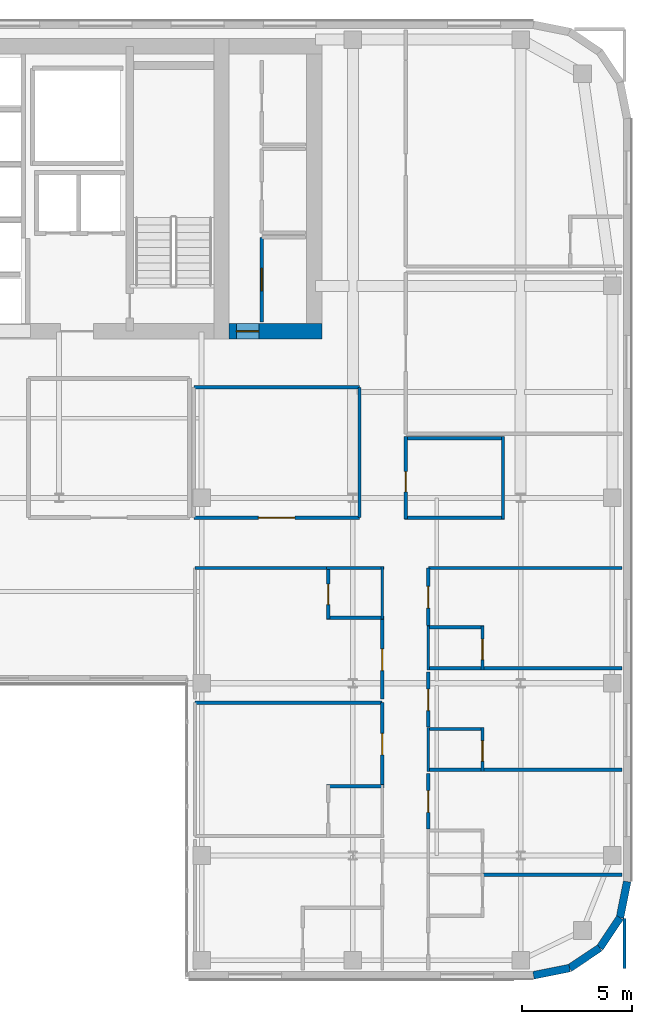
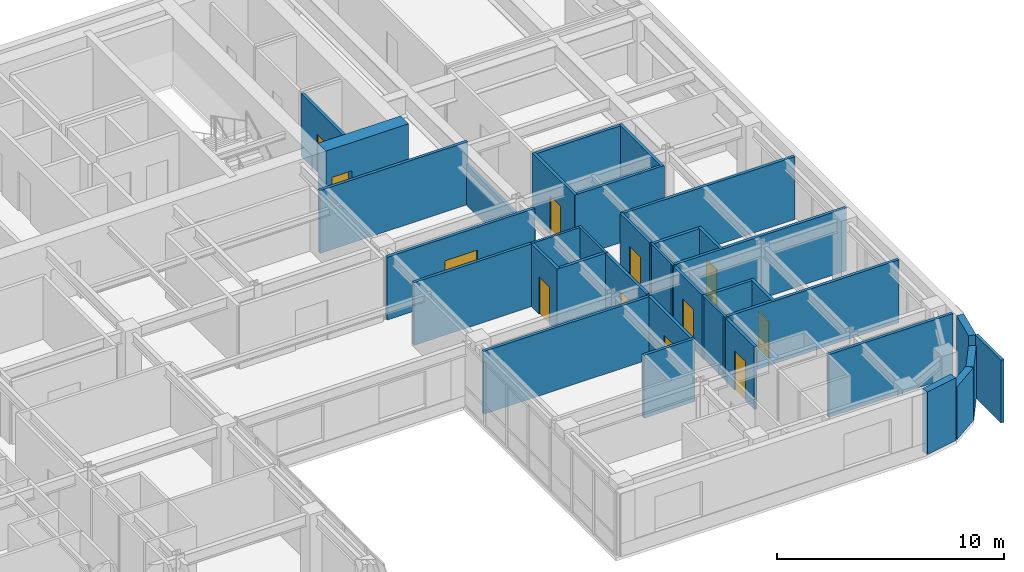
# One storey, part 20 of 28: 36 walls, 12 doors, 12 openings.
"""IFC4 building model written with IfcOpenShell, lengths in metres."""

from ifc_helpers import new_model, si_unit, direction, frame, frame_2d, origin, place, context, subcontext, project, spatial, rectangle, extrude, source, transform, mapped, material, layer, layer_set, type_object, type_shapes, element, fill, save


model = new_model("IFC4")

# Units and contexts
model_context = context("Model", 3, precision=1e-05, world=origin(), true_north=direction((0.0, 1.0)))
body_context = subcontext(model_context, "Body", "Model", "MODEL_VIEW")
ifc_project = project(units=[si_unit("LENGTHUNIT", "METRE"), si_unit("AREAUNIT", "SQUARE_METRE"), si_unit("VOLUMEUNIT", "CUBIC_METRE"), si_unit("PLANEANGLEUNIT", "RADIAN"), si_unit("MASSUNIT", "GRAM", prefix="KILO")], contexts=[model_context])

# Site, building, storey
site_placement = place(None, origin())
site = spatial("IfcSite", under=ifc_project, at=site_placement, CompositionType="ELEMENT")
building_placement = place(site_placement, origin())
building = spatial("IfcBuilding", under=site, at=building_placement, Name="Tolvann Quenvar Hotel", CompositionType="ELEMENT")
storey_placement = place(building_placement, frame((0.0, 0.0, 154.14990234375)))
storey = spatial("IfcBuildingStorey", under=building, at=storey_placement, Name="L40", CompositionType="ELEMENT", Elevation=154.14990234375)

# Wall, opening, door
ifc_material_1 = material(Name="Concrete S65 (65 MPa)", Category="concrete")
ifc_layer_1 = layer(ifc_material_1, 0.699951171875)
ifc_layer_set_1 = layer_set([ifc_layer_1], Name="Concrete S65 (65 MPa)")
wall_type_1 = type_object("IfcWallType", Name="WALL_CORE_700", PredefinedType="SHEAR", material=ifc_layer_set_1)
wall_1_placement = place(storey_placement, frame((36.199951171875, 31.949951171875, 0.0), z_axis=(0.0, 0.0, 1.0), x_axis=(1.0, 0.0, 0.0)))
wall_1 = element("IfcWall", 1, at=wall_1_placement, inside=storey, type_object=wall_type_1, Name="Core East Annex Shear Wall ANN-S (L40)", PredefinedType="SHEAR", context=body_context, shape_type="SweptSolid", body=[
    extrude(rectangle(XDim=4.199951171875, YDim=0.699951171875, at=frame_2d((2.10009765625, 0.0))), origin(), (0.0, 0.0, 1.0), 3.550048828125),
])
opening_1_placement = place(wall_1_placement, frame((1.340087890625, 0.0, 0.0), z_axis=(0.0, 0.0, 1.0), x_axis=(-1.0, 0.0, 0.0)))
opening_1 = element("IfcOpeningElement", 2, at=opening_1_placement, cuts=wall_1, Name="Opening HD-01", PredefinedType="OPENING", context=body_context, shape_type="SweptSolid", body=[
    extrude(rectangle(XDim=1.02001953125, YDim=2.030029296875, at=frame_2d((0.510009765625, 1.01513671875))), frame((0.0, 0.35986328125, 0.0), z_axis=(0.0, -1.0, 0.0), x_axis=(1.0, 0.0, 0.0)), (0.0, 0.0, 1.0), 0.719970703125),
])
ifc_material_2 = material(Name="Pressed galvanised steel fire-rated door set", Category="steel")
door_type_1 = type_object("IfcDoorType", Name="DOOR_BOH_1020", OperationType="NOTDEFINED", PredefinedType="DOOR", material=ifc_material_2)
shared_shape_1 = source(origin(), body_context, "Body", "SweptSolid", [
    extrude(rectangle(XDim=1.02001953125, YDim=2.030029296875, at=frame_2d((0.510009765625, 1.01513671875))), frame((0.0, 0.02490234375, 0.0), z_axis=(0.0, -1.0, 0.0), x_axis=(1.0, 0.0, 0.0)), (0.0, 0.0, 1.0), 0.050048828125),
])
type_shapes(door_type_1, [shared_shape_1])
door_1_placement = place(opening_1_placement, origin())
door_1 = element("IfcDoor", 3, at=door_1_placement, inside=storey, type_object=door_type_1, Name="Housekeeping Annex Fire Door (L40)", OperationType="SINGLE_SWING_RIGHT", OverallHeight=2.030029296875, OverallWidth=1.02001953125, PredefinedType="DOOR", context=body_context, shape_type="MappedRepresentation", body=[
    mapped(shared_shape_1, transform((0.0, 0.0, 0.0), x_axis=(1.0, 0.0, 0.0), y_axis=(0.0, 1.0, 0.0), z_axis=(0.0, 0.0, 1.0), scale=1.0)),
])
fill(opening_1, door_1)

# Walls
ifc_material_3 = material(Name="Kiln-fired red and buff architectural clay brickwork and terracotta masonry", Category="masonry")
ifc_layer_2 = layer(ifc_material_3, 0.35009765625)
ifc_layer_set_2 = layer_set([ifc_layer_2], Name="Kiln-fired red and buff architectural clay brickwork and terracotta masonry")
wall_type_2 = type_object("IfcWallType", Name="WALL_EXT_BRICK_350", PredefinedType="SOLIDWALL", material=ifc_layer_set_2)
wall_2_placement = place(storey_placement, frame((49.98291015625, 2.77490234375, 0.0), z_axis=(0.0, 0.0, 1.0), x_axis=(0.980788844421, 0.195072403631, 0.0)))
element("IfcWall", 4, at=wall_2_placement, inside=storey, type_object=wall_type_2, Name="Exterior Chicago Brick Wall L40-E09", PredefinedType="SOLIDWALL", context=body_context, shape_type="SweptSolid", body=[
    extrude(rectangle(XDim=1.66455078125, YDim=0.35009765625, at=frame_2d((0.832275390625, 0.0))), origin(), (0.0, 0.0, 1.0), 3.3701171875),
])
for number, where, z_axis, x_axis, name in (
    (5, (51.615478515625, 3.099609375, 0.0), (0.0, 0.0, 1.0), (0.831434158098, 0.555623290322, 0.0), "Exterior Chicago Brick Wall L40-E10"),
    (6, (52.985107421875, 4.014892578125, 0.0), (0.0, 0.0, 1.0), (0.555623290322, 0.831434158098, 0.0), "Exterior Chicago Brick Wall L40-E11"),
):
    element("IfcWall", number, at=place(storey_placement, frame(where, z_axis=z_axis, x_axis=x_axis)), inside=storey, type_object=wall_type_2, Name=name, PredefinedType="SOLIDWALL", context=body_context, shape_type="SweptSolid", body=[
        extrude(rectangle(XDim=1.647216796875, YDim=0.35009765625, at=frame_2d((0.82373046875, 0.0))), origin(), (0.0, 0.0, 1.0), 2.83203125),
    ])
wall_3_placement = place(storey_placement, frame((53.900390625, 5.384521484375, 0.0), z_axis=(0.0, 0.0, 1.0), x_axis=(0.195072403631, 0.980788844421, 0.0)))
element("IfcWall", 7, at=wall_3_placement, inside=storey, type_object=wall_type_2, Name="Exterior Chicago Brick Wall L40-E12", PredefinedType="SOLIDWALL", context=body_context, shape_type="SweptSolid", body=[
    extrude(rectangle(XDim=1.66455078125, YDim=0.35009765625, at=frame_2d((0.832275390625, 0.0))), origin(), (0.0, 0.0, 1.0), 3.3701171875),
])
ifc_material_4 = material(Name="Moisture-resistant acoustic plumbing wall assembly")
ifc_layer_3 = layer(ifc_material_4, 0.1201171875)
ifc_layer_set_3 = layer_set([ifc_layer_3], Name="Moisture-resistant acoustic plumbing wall assembly")
wall_type_3 = type_object("IfcWallType", Name="WALL_PART_BATH_120", PredefinedType="PLUMBINGWALL", material=ifc_layer_set_3)
wall_4_placement = place(storey_placement, frame((40.610107421875, 21.219970703125, 0.0), z_axis=(0.0, 0.0, 1.0), x_axis=(1.0, 0.0, 0.0)))
element("IfcWall", 8, at=wall_4_placement, inside=storey, type_object=wall_type_3, Name="Non-Rated Plumbing Partition PT-SPC-L40-ENS-EI03-N", PredefinedType="PLUMBINGWALL", context=body_context, shape_type="SweptSolid", body=[
    extrude(rectangle(XDim=2.58984375, YDim=0.1201171875, at=frame_2d((1.294921875, 0.0))), origin(), (0.0, 0.0, 1.0), 3.3701171875),
])
wall_5_placement = place(storey_placement, frame((43.1298828125, 18.89990234375, 0.0), z_axis=(0.0, 0.0, 1.0), x_axis=(0.0, 1.0, 0.0)))
element("IfcWall", 9, at=wall_5_placement, inside=storey, type_object=wall_type_3, Name="Non-Rated Plumbing Partition PT-SPC-L40-ENS-EI03-E", PredefinedType="PLUMBINGWALL", context=body_context, shape_type="SweptSolid", body=[
    extrude(rectangle(XDim=2.39013671875, YDim=0.1201171875, at=frame_2d((1.195068359375, 0.0))), origin(), (0.0, 0.0, 1.0), 3.3701171875),
])
for number, where, z_axis, x_axis, name in (
    (10, (45.219970703125, 12.010009765625, 0.0), (0.0, 0.0, 1.0), (0.0, 1.0, 0.0), "Non-Rated Plumbing Partition PT-SPC-L40-ENS-EO03-W"),
    (11, (45.219970703125, 16.610107421875, 0.0), (0.0, 0.0, 1.0), (0.0, 1.0, 0.0), "Non-Rated Plumbing Partition PT-SPC-L40-ENS-EO04-W"),
):
    element("IfcWall", number, at=place(storey_placement, frame(where, z_axis=z_axis, x_axis=x_axis)), inside=storey, type_object=wall_type_3, Name=name, PredefinedType="PLUMBINGWALL", context=body_context, shape_type="SweptSolid", body=[
        extrude(rectangle(XDim=1.989990234375, YDim=0.1201171875, at=frame_2d((0.9951171875, 0.0))), origin(), (0.0, 0.0, 1.0), 3.3701171875),
    ])
ifc_material_5 = material(Name="Acoustic twin-stud fire-rated gypsum plasterboard partition")
ifc_layer_4 = layer(ifc_material_5, 0.14990234375)
ifc_layer_set_4 = layer_set([ifc_layer_4], Name="Acoustic twin-stud fire-rated gypsum plasterboard partition")
wall_type_4 = type_object("IfcWallType", Name="WALL_PART_SUITE_150", PredefinedType="PARTITIONING", material=ifc_layer_set_4)
wall_6_placement = place(storey_placement, frame((40.610107421875, 11.330078125, 0.0), z_axis=(0.0, 0.0, 1.0), x_axis=(1.0, 0.0, 0.0)))
element("IfcWall", 12, at=wall_6_placement, inside=storey, type_object=wall_type_4, Name="Interior Partition PT-SPC-L40-ENS-EI02-N", PredefinedType="PARTITIONING", context=body_context, shape_type="SweptSolid", body=[
    extrude(rectangle(XDim=2.58984375, YDim=0.14990234375, at=frame_2d((1.294921875, 0.0))), origin(), (0.0, 0.0, 1.0), 3.3701171875),
])

# Wall, opening, door
wall_7_placement = place(storey_placement, frame((40.679931640625, 18.89990234375, 0.0), z_axis=(0.0, 0.0, 1.0), x_axis=(0.0, 1.0, 0.0)))
wall_7 = element("IfcWall", 13, at=wall_7_placement, inside=storey, type_object=wall_type_4, Name="Interior Partition PT-SPC-L40-ENS-EI03-ENT", PredefinedType="PARTITIONING", context=body_context, shape_type="SweptSolid", body=[
    extrude(rectangle(XDim=2.39013671875, YDim=0.14990234375, at=frame_2d((1.195068359375, 0.0))), origin(), (0.0, 0.0, 1.0), 3.3701171875),
])
opening_2_placement = place(wall_7_placement, frame((0.6650390625, 0.0, 0.0)))
opening_2 = element("IfcOpeningElement", 14, at=opening_2_placement, cuts=wall_7, Name="Opening WD-01", PredefinedType="OPENING", context=body_context, shape_type="SweptSolid", body=[
    extrude(rectangle(XDim=0.919921875, YDim=2.010009765625, at=frame_2d((0.4599609375, 1.0048828125))), frame((0.0, 0.0849609375, 0.0), z_axis=(0.0, -1.0, 0.0), x_axis=(1.0, 0.0, 0.0)), (0.0, 0.0, 1.0), 0.169921875),
])
ifc_material_6 = material(Name="Solid-core American oak acoustic fire door leaf in steel frame", Category="steel")
door_type_2 = type_object("IfcDoorType", Name="DOOR_WC_920", OperationType="NOTDEFINED", PredefinedType="DOOR", material=ifc_material_6)
shared_shape_2 = source(origin(), body_context, "Body", "SweptSolid", [
    extrude(rectangle(XDim=0.919921875, YDim=2.010009765625, at=frame_2d((0.4599609375, 1.0048828125))), frame((0.0, 0.02490234375, 0.0), z_axis=(0.0, -1.0, 0.0), x_axis=(1.0, 0.0, 0.0)), (0.0, 0.0, 1.0), 0.050048828125),
])
type_shapes(door_type_2, [shared_shape_2])
door_2_placement = place(opening_2_placement, origin())
door_2 = element("IfcDoor", 15, at=door_2_placement, inside=storey, type_object=door_type_2, Name="Interior Door DOOR-SPC-L40-ENS-EI03", OperationType="SINGLE_SWING_LEFT", OverallHeight=2.010009765625, OverallWidth=0.919921875, PredefinedType="DOOR", context=body_context, shape_type="MappedRepresentation", body=[
    mapped(shared_shape_2, transform((0.0, 0.0, 0.0), x_axis=(1.0, 0.0, 0.0), y_axis=(0.0, 1.0, 0.0), z_axis=(0.0, 0.0, 1.0), scale=1.0)),
])
fill(opening_2, door_2)

# Wall
wall_8_placement = place(storey_placement, frame((40.610107421875, 18.969970703125, 0.0), z_axis=(0.0, 0.0, 1.0), x_axis=(1.0, 0.0, 0.0)))
element("IfcWall", 16, at=wall_8_placement, inside=storey, type_object=wall_type_4, Name="Interior Partition PT-SPC-L40-ENS-EI03-S", PredefinedType="PARTITIONING", context=body_context, shape_type="SweptSolid", body=[
    extrude(rectangle(XDim=2.58984375, YDim=0.14990234375, at=frame_2d((1.294921875, 0.0))), origin(), (0.0, 0.0, 1.0), 3.3701171875),
])

# Wall, opening, door
wall_9_placement = place(storey_placement, frame((47.669921875, 12.010009765625, 0.0), z_axis=(0.0, 0.0, 1.0), x_axis=(0.0, 1.0, 0.0)))
wall_9 = element("IfcWall", 17, at=wall_9_placement, inside=storey, type_object=wall_type_4, Name="Interior Partition PT-SPC-L40-ENS-EO03-ENT", PredefinedType="PARTITIONING", context=body_context, shape_type="SweptSolid", body=[
    extrude(rectangle(XDim=1.989990234375, YDim=0.14990234375, at=frame_2d((0.9951171875, 0.0))), origin(), (0.0, 0.0, 1.0), 3.3701171875),
])
opening_3_placement = place(wall_9_placement, frame((0.465087890625, 0.0, 0.0)))
opening_3 = element("IfcOpeningElement", 18, at=opening_3_placement, cuts=wall_9, Name="Opening WD-01", PredefinedType="OPENING", context=body_context, shape_type="SweptSolid", body=[
    extrude(rectangle(XDim=0.919921875, YDim=2.010009765625, at=frame_2d((0.4599609375, 1.0048828125))), frame((0.0, 0.0849609375, 0.0), z_axis=(0.0, -1.0, 0.0), x_axis=(1.0, 0.0, 0.0)), (0.0, 0.0, 1.0), 0.169921875),
])
door_3_placement = place(opening_3_placement, origin())
door_3 = element("IfcDoor", 19, at=door_3_placement, inside=storey, type_object=door_type_2, Name="Interior Door DOOR-SPC-L40-ENS-EO03", OperationType="SINGLE_SWING_RIGHT", OverallHeight=2.010009765625, OverallWidth=0.919921875, PredefinedType="DOOR", context=body_context, shape_type="MappedRepresentation", body=[
    mapped(shared_shape_2, transform((0.0, 0.0, 0.0), x_axis=(1.0, 0.0, 0.0), y_axis=(0.0, 1.0, 0.0), z_axis=(0.0, 0.0, 1.0), scale=1.0)),
])
fill(opening_3, door_3)

# Walls
wall_10_placement = place(storey_placement, frame((45.14990234375, 12.080078125, 0.0), z_axis=(0.0, 0.0, 1.0), x_axis=(1.0, 0.0, 0.0)))
element("IfcWall", 20, at=wall_10_placement, inside=storey, type_object=wall_type_4, Name="Interior Partition PT-SPC-L40-ENS-EO03-S", PredefinedType="PARTITIONING", context=body_context, shape_type="SweptSolid", body=[
    extrude(rectangle(XDim=8.84521484375, YDim=0.14990234375, at=frame_2d((4.422607421875, 0.0))), origin(), (0.0, 0.0, 1.0), 3.3701171875),
])
wall_11_placement = place(storey_placement, frame((45.14990234375, 13.929931640625, 0.0), z_axis=(0.0, 0.0, 1.0), x_axis=(1.0, 0.0, 0.0)))
element("IfcWall", 21, at=wall_11_placement, inside=storey, type_object=wall_type_4, Name="Interior Partition PT-SPC-L40-ENS-EO03-N", PredefinedType="PARTITIONING", context=body_context, shape_type="SweptSolid", body=[
    extrude(rectangle(XDim=2.590087890625, YDim=0.14990234375, at=frame_2d((1.294921875, 0.0))), origin(), (0.0, 0.0, 1.0), 3.3701171875),
])

# Wall, opening, door
wall_12_placement = place(storey_placement, frame((47.669921875, 16.610107421875, 0.0), z_axis=(0.0, 0.0, 1.0), x_axis=(0.0, 1.0, 0.0)))
wall_12 = element("IfcWall", 22, at=wall_12_placement, inside=storey, type_object=wall_type_4, Name="Interior Partition PT-SPC-L40-ENS-EO04-ENT", PredefinedType="PARTITIONING", context=body_context, shape_type="SweptSolid", body=[
    extrude(rectangle(XDim=1.989990234375, YDim=0.14990234375, at=frame_2d((0.9951171875, 0.0))), origin(), (0.0, 0.0, 1.0), 3.3701171875),
])
opening_4_placement = place(wall_12_placement, frame((0.465087890625, 0.0, 0.0)))
opening_4 = element("IfcOpeningElement", 23, at=opening_4_placement, cuts=wall_12, Name="Opening WD-01", PredefinedType="OPENING", context=body_context, shape_type="SweptSolid", body=[
    extrude(rectangle(XDim=0.919921875, YDim=2.010009765625, at=frame_2d((0.4599609375, 1.0048828125))), frame((0.0, 0.0849609375, 0.0), z_axis=(0.0, -1.0, 0.0), x_axis=(1.0, 0.0, 0.0)), (0.0, 0.0, 1.0), 0.169921875),
])
door_4_placement = place(opening_4_placement, origin())
door_4 = element("IfcDoor", 24, at=door_4_placement, inside=storey, type_object=door_type_2, Name="Interior Door DOOR-SPC-L40-ENS-EO04", OperationType="SINGLE_SWING_LEFT", OverallHeight=2.010009765625, OverallWidth=0.919921875, PredefinedType="DOOR", context=body_context, shape_type="MappedRepresentation", body=[
    mapped(shared_shape_2, transform((0.0, 0.0, 0.0), x_axis=(1.0, 0.0, 0.0), y_axis=(0.0, 1.0, 0.0), z_axis=(0.0, 0.0, 1.0), scale=1.0)),
])
fill(opening_4, door_4)

# Walls
wall_13_placement = place(storey_placement, frame((45.14990234375, 16.679931640625, 0.0), z_axis=(0.0, 0.0, 1.0), x_axis=(1.0, 0.0, 0.0)))
element("IfcWall", 25, at=wall_13_placement, inside=storey, type_object=wall_type_4, Name="Interior Partition PT-SPC-L40-ENS-EO04-S", PredefinedType="PARTITIONING", context=body_context, shape_type="SweptSolid", body=[
    extrude(rectangle(XDim=8.84521484375, YDim=0.14990234375, at=frame_2d((4.422607421875, 0.0))), origin(), (0.0, 0.0, 1.0), 3.3701171875),
])
wall_14_placement = place(storey_placement, frame((45.14990234375, 18.530029296875, 0.0), z_axis=(0.0, 0.0, 1.0), x_axis=(1.0, 0.0, 0.0)))
element("IfcWall", 26, at=wall_14_placement, inside=storey, type_object=wall_type_4, Name="Interior Partition PT-SPC-L40-ENS-EO04-N", PredefinedType="PARTITIONING", context=body_context, shape_type="SweptSolid", body=[
    extrude(rectangle(XDim=2.590087890625, YDim=0.14990234375, at=frame_2d((1.294921875, 0.0))), origin(), (0.0, 0.0, 1.0), 3.3701171875),
])

# Wall, opening, door
wall_15_placement = place(storey_placement, frame((37.679931640625, 32.35498046875, 0.0), z_axis=(0.0, 0.0, 1.0), x_axis=(0.0, 1.0, 0.0)))
wall_15 = element("IfcWall", 27, at=wall_15_placement, inside=storey, type_object=wall_type_4, Name="Interior Partition PT-SPC-L40-RECPL-1-W", PredefinedType="PARTITIONING", context=body_context, shape_type="SweptSolid", body=[
    extrude(rectangle(XDim=3.844970703125, YDim=0.14990234375, at=frame_2d((1.92236328125, 0.0))), origin(), (0.0, 0.0, 1.0), 3.3701171875),
])
opening_5_placement = place(wall_15_placement, frame((1.41259765625, 0.0, 0.0)))
opening_5 = element("IfcOpeningElement", 28, at=opening_5_placement, cuts=wall_15, Name="Opening HD-01", PredefinedType="OPENING", context=body_context, shape_type="SweptSolid", body=[
    extrude(rectangle(XDim=1.02001953125, YDim=2.030029296875, at=frame_2d((0.510009765625, 1.01513671875))), frame((0.0, 0.0849609375, 0.0), z_axis=(0.0, -1.0, 0.0), x_axis=(1.0, 0.0, 0.0)), (0.0, 0.0, 1.0), 0.169921875),
])
door_5_placement = place(opening_5_placement, origin())
door_5 = element("IfcDoor", 29, at=door_5_placement, inside=storey, type_object=door_type_1, Name="Interior Door DOOR-SPC-L40-RECPL-1", OperationType="SINGLE_SWING_LEFT", OverallHeight=2.030029296875, OverallWidth=1.02001953125, PredefinedType="DOOR", context=body_context, shape_type="MappedRepresentation", body=[
    mapped(shared_shape_1, transform((0.0, 0.0, 0.0), x_axis=(1.0, 0.0, 0.0), y_axis=(0.0, 1.0, 0.0), z_axis=(0.0, 0.0, 1.0), scale=1.0)),
])
fill(opening_5, door_5)

wall_16_placement = place(storey_placement, frame((43.1298828125, 11.409912109375, 0.0), z_axis=(0.0, 0.0, 1.0), x_axis=(0.0, 1.0, 0.0)))
wall_16 = element("IfcWall", 30, at=wall_16_placement, inside=storey, type_object=wall_type_4, Name="Interior Partition PT-SPC-L40-RM-EI02-ENT", PredefinedType="PARTITIONING", context=body_context, shape_type="SweptSolid", body=[
    extrude(rectangle(XDim=3.710205078125, YDim=0.14990234375, at=frame_2d((1.85498046875, 0.0))), origin(), (0.0, 0.0, 1.0), 3.3701171875),
])
opening_6_placement = place(wall_16_placement, frame((1.344970703125, 0.0, 0.0)))
opening_6 = element("IfcOpeningElement", 31, at=opening_6_placement, cuts=wall_16, Name="Opening SD-01", PredefinedType="OPENING", context=body_context, shape_type="SweptSolid", body=[
    extrude(rectangle(XDim=0.97998046875, YDim=2.1201171875, at=frame_2d((0.489990234375, 1.06005859375))), frame((0.0, 0.0849609375, 0.0), z_axis=(0.0, -1.0, 0.0), x_axis=(1.0, 0.0, 0.0)), (0.0, 0.0, 1.0), 0.169921875),
])
door_type_3 = type_object("IfcDoorType", Name="DOOR_SUITE_980", OperationType="NOTDEFINED", PredefinedType="DOOR", material=ifc_material_6)
shared_shape_3 = source(origin(), body_context, "Body", "SweptSolid", [
    extrude(rectangle(XDim=0.97998046875, YDim=2.1201171875, at=frame_2d((0.489990234375, 1.06005859375))), frame((0.0, 0.02490234375, 0.0), z_axis=(0.0, -1.0, 0.0), x_axis=(1.0, 0.0, 0.0)), (0.0, 0.0, 1.0), 0.050048828125),
])
type_shapes(door_type_3, [shared_shape_3])
door_6_placement = place(opening_6_placement, origin())
door_6 = element("IfcDoor", 32, at=door_6_placement, inside=storey, type_object=door_type_3, Name="Interior Door DOOR-SPC-L40-RM-EI02", OperationType="SINGLE_SWING_LEFT", OverallHeight=2.1201171875, OverallWidth=0.97998046875, PredefinedType="DOOR", context=body_context, shape_type="MappedRepresentation", body=[
    mapped(shared_shape_3, transform((0.0, 0.0, 0.0), x_axis=(1.0, 0.0, 0.0), y_axis=(0.0, 1.0, 0.0), z_axis=(0.0, 0.0, 1.0), scale=1.0)),
])
fill(opening_6, door_6)

# Wall
wall_17_placement = place(storey_placement, frame((34.64990234375, 15.1201171875, 0.0), z_axis=(0.0, 0.0, 1.0), x_axis=(1.0, 0.0, 0.0)))
element("IfcWall", 33, at=wall_17_placement, inside=storey, type_object=wall_type_4, Name="Interior Partition PT-SPC-L40-RM-EI02-E5", PredefinedType="PARTITIONING", context=body_context, shape_type="SweptSolid", body=[
    extrude(rectangle(XDim=8.47998046875, YDim=0.14990234375, at=frame_2d((4.239990234375, 0.0))), origin(), (0.0, 0.0, 1.0), 3.3701171875),
])

# Wall, opening, door
wall_18_placement = place(storey_placement, frame((43.1298828125, 15.280029296875, 0.0), z_axis=(0.0, 0.0, 1.0), x_axis=(0.0, 1.0, 0.0)))
wall_18 = element("IfcWall", 34, at=wall_18_placement, inside=storey, type_object=wall_type_4, Name="Interior Partition PT-SPC-L40-RM-EI03-ENT", PredefinedType="PARTITIONING", context=body_context, shape_type="SweptSolid", body=[
    extrude(rectangle(XDim=3.60986328125, YDim=0.14990234375, at=frame_2d((1.804931640625, 0.0))), origin(), (0.0, 0.0, 1.0), 3.3701171875),
])
opening_7_placement = place(wall_18_placement, frame((1.294921875, 0.0, 0.0)))
opening_7 = element("IfcOpeningElement", 35, at=opening_7_placement, cuts=wall_18, Name="Opening SD-01", PredefinedType="OPENING", context=body_context, shape_type="SweptSolid", body=[
    extrude(rectangle(XDim=0.97998046875, YDim=2.1201171875, at=frame_2d((0.489990234375, 1.06005859375))), frame((0.0, 0.0849609375, 0.0), z_axis=(0.0, -1.0, 0.0), x_axis=(1.0, 0.0, 0.0)), (0.0, 0.0, 1.0), 0.169921875),
])
door_7_placement = place(opening_7_placement, origin())
door_7 = element("IfcDoor", 36, at=door_7_placement, inside=storey, type_object=door_type_3, Name="Interior Door DOOR-SPC-L40-RM-EI03", OperationType="SINGLE_SWING_RIGHT", OverallHeight=2.1201171875, OverallWidth=0.97998046875, PredefinedType="DOOR", context=body_context, shape_type="MappedRepresentation", body=[
    mapped(shared_shape_3, transform((0.0, 0.0, 0.0), x_axis=(1.0, 0.0, 0.0), y_axis=(0.0, 1.0, 0.0), z_axis=(0.0, 0.0, 1.0), scale=1.0)),
])
fill(opening_7, door_7)

# Walls
wall_19_placement = place(storey_placement, frame((34.64990234375, 21.219970703125, 0.0), z_axis=(0.0, 0.0, 1.0), x_axis=(1.0, 0.0, 0.0)))
element("IfcWall", 37, at=wall_19_placement, inside=storey, type_object=wall_type_4, Name="Interior Partition PT-SPC-L40-RM-EI03-E5", PredefinedType="PARTITIONING", context=body_context, shape_type="SweptSolid", body=[
    extrude(rectangle(XDim=6.010009765625, YDim=0.14990234375, at=frame_2d((3.0048828125, 0.0))), origin(), (0.0, 0.0, 1.0), 3.3701171875),
])
wall_20_placement = place(storey_placement, frame((54.10009765625, 3.080078125, 0.0), z_axis=(0.0, 0.0, 1.0), x_axis=(0.0, 1.0, 0.0)))
element("IfcWall", 38, at=wall_20_placement, inside=storey, type_object=wall_type_4, Name="Interior Partition PT-SPC-L40-RM-EO01-E2", PredefinedType="PARTITIONING", context=body_context, shape_type="SweptSolid", body=[
    extrude(rectangle(XDim=2.264892578125, YDim=0.14990234375, at=frame_2d((1.13232421875, 0.0))), origin(), (0.0, 0.0, 1.0), 3.3701171875),
])
wall_21_placement = place(storey_placement, frame((47.68994140625, 7.320068359375, 0.0), z_axis=(0.0, 0.0, 1.0), x_axis=(1.0, 0.0, 0.0)))
element("IfcWall", 39, at=wall_21_placement, inside=storey, type_object=wall_type_4, Name="Interior Partition PT-SPC-L40-RM-EO01-E3", PredefinedType="PARTITIONING", context=body_context, shape_type="SweptSolid", body=[
    extrude(rectangle(XDim=6.30517578125, YDim=0.14990234375, at=frame_2d((3.152587890625, 0.0))), origin(), (0.0, 0.0, 1.0), 3.3701171875),
])

# Wall, opening, door
wall_22_placement = place(storey_placement, frame((45.219970703125, 9.409912109375, 0.0), z_axis=(0.0, 0.0, 1.0), x_axis=(0.0, 1.0, 0.0)))
wall_22 = element("IfcWall", 40, at=wall_22_placement, inside=storey, type_object=wall_type_4, Name="Interior Partition PT-SPC-L40-RM-EO02-ENT", PredefinedType="PARTITIONING", context=body_context, shape_type="SweptSolid", body=[
    extrude(rectangle(XDim=2.510009765625, YDim=0.14990234375, at=frame_2d((1.2548828125, 0.0))), origin(), (0.0, 0.0, 1.0), 3.3701171875),
])
opening_8_placement = place(wall_22_placement, frame((0.7451171875, 0.0, 0.0)))
opening_8 = element("IfcOpeningElement", 41, at=opening_8_placement, cuts=wall_22, Name="Opening SD-01", PredefinedType="OPENING", context=body_context, shape_type="SweptSolid", body=[
    extrude(rectangle(XDim=0.97998046875, YDim=2.1201171875, at=frame_2d((0.489990234375, 1.06005859375))), frame((0.0, 0.0849609375, 0.0), z_axis=(0.0, -1.0, 0.0), x_axis=(1.0, 0.0, 0.0)), (0.0, 0.0, 1.0), 0.169921875),
])
door_8_placement = place(opening_8_placement, origin())
door_8 = element("IfcDoor", 42, at=door_8_placement, inside=storey, type_object=door_type_3, Name="Interior Door DOOR-SPC-L40-RM-EO02", OperationType="SINGLE_SWING_RIGHT", OverallHeight=2.1201171875, OverallWidth=0.97998046875, PredefinedType="DOOR", context=body_context, shape_type="MappedRepresentation", body=[
    mapped(shared_shape_3, transform((0.0, 0.0, 0.0), x_axis=(1.0, 0.0, 0.0), y_axis=(0.0, 1.0, 0.0), z_axis=(0.0, 0.0, 1.0), scale=1.0)),
])
fill(opening_8, door_8)

wall_23_placement = place(storey_placement, frame((45.219970703125, 14.010009765625, 0.0), z_axis=(0.0, 0.0, 1.0), x_axis=(0.0, 1.0, 0.0)))
wall_23 = element("IfcWall", 43, at=wall_23_placement, inside=storey, type_object=wall_type_4, Name="Interior Partition PT-SPC-L40-RM-EO03-ENT", PredefinedType="PARTITIONING", context=body_context, shape_type="SweptSolid", body=[
    extrude(rectangle(XDim=2.510009765625, YDim=0.14990234375, at=frame_2d((1.2548828125, 0.0))), origin(), (0.0, 0.0, 1.0), 3.3701171875),
])
opening_9_placement = place(wall_23_placement, frame((0.7451171875, 0.0, 0.0)))
opening_9 = element("IfcOpeningElement", 44, at=opening_9_placement, cuts=wall_23, Name="Opening SD-01", PredefinedType="OPENING", context=body_context, shape_type="SweptSolid", body=[
    extrude(rectangle(XDim=0.97998046875, YDim=2.1201171875, at=frame_2d((0.489990234375, 1.06005859375))), frame((0.0, 0.0849609375, 0.0), z_axis=(0.0, -1.0, 0.0), x_axis=(1.0, 0.0, 0.0)), (0.0, 0.0, 1.0), 0.169921875),
])
door_9_placement = place(opening_9_placement, origin())
door_9 = element("IfcDoor", 45, at=door_9_placement, inside=storey, type_object=door_type_3, Name="Interior Door DOOR-SPC-L40-RM-EO03", OperationType="SINGLE_SWING_LEFT", OverallHeight=2.1201171875, OverallWidth=0.97998046875, PredefinedType="DOOR", context=body_context, shape_type="MappedRepresentation", body=[
    mapped(shared_shape_3, transform((0.0, 0.0, 0.0), x_axis=(1.0, 0.0, 0.0), y_axis=(0.0, 1.0, 0.0), z_axis=(0.0, 0.0, 1.0), scale=1.0)),
])
fill(opening_9, door_9)

wall_24_placement = place(storey_placement, frame((45.219970703125, 18.610107421875, 0.0), z_axis=(0.0, 0.0, 1.0), x_axis=(0.0, 1.0, 0.0)))
wall_24 = element("IfcWall", 46, at=wall_24_placement, inside=storey, type_object=wall_type_4, Name="Interior Partition PT-SPC-L40-RM-EO04-ENT", PredefinedType="PARTITIONING", context=body_context, shape_type="SweptSolid", body=[
    extrude(rectangle(XDim=2.60986328125, YDim=0.14990234375, at=frame_2d((1.304931640625, 0.0))), origin(), (0.0, 0.0, 1.0), 3.3701171875),
])
opening_10_placement = place(wall_24_placement, frame((0.794921875, 0.0, 0.0)))
opening_10 = element("IfcOpeningElement", 47, at=opening_10_placement, cuts=wall_24, Name="Opening SD-01", PredefinedType="OPENING", context=body_context, shape_type="SweptSolid", body=[
    extrude(rectangle(XDim=0.97998046875, YDim=2.1201171875, at=frame_2d((0.489990234375, 1.06005859375))), frame((0.0, 0.0849609375, 0.0), z_axis=(0.0, -1.0, 0.0), x_axis=(1.0, 0.0, 0.0)), (0.0, 0.0, 1.0), 0.169921875),
])
door_10_placement = place(opening_10_placement, origin())
door_10 = element("IfcDoor", 48, at=door_10_placement, inside=storey, type_object=door_type_3, Name="Interior Door DOOR-SPC-L40-RM-EO04", OperationType="SINGLE_SWING_RIGHT", OverallHeight=2.1201171875, OverallWidth=0.97998046875, PredefinedType="DOOR", context=body_context, shape_type="MappedRepresentation", body=[
    mapped(shared_shape_3, transform((0.0, 0.0, 0.0), x_axis=(1.0, 0.0, 0.0), y_axis=(0.0, 1.0, 0.0), z_axis=(0.0, 0.0, 1.0), scale=1.0)),
])
fill(opening_10, door_10)

# Wall
wall_25_placement = place(storey_placement, frame((45.219970703125, 21.219970703125, 0.0), z_axis=(0.0, 0.0, 1.0), x_axis=(1.0, 0.0, 0.0)))
element("IfcWall", 49, at=wall_25_placement, inside=storey, type_object=wall_type_4, Name="Interior Partition PT-SPC-L40-RM-EO04-E5", PredefinedType="PARTITIONING", context=body_context, shape_type="SweptSolid", body=[
    extrude(rectangle(XDim=8.775146484375, YDim=0.14990234375, at=frame_2d((4.3876953125, 0.0))), origin(), (0.0, 0.0, 1.0), 3.3701171875),
])

# Wall, opening, door
wall_26_placement = place(storey_placement, frame((44.199951171875, 23.429931640625, 0.0), z_axis=(0.0, 0.0, 1.0), x_axis=(0.0, 1.0, 0.0)))
wall_26 = element("IfcWall", 50, at=wall_26_placement, inside=storey, type_object=wall_type_4, Name="Interior Partition PT-SPC-L40-WCA-ENT", PredefinedType="PARTITIONING", context=body_context, shape_type="SweptSolid", body=[
    extrude(rectangle(XDim=3.739990234375, YDim=0.14990234375, at=frame_2d((1.8701171875, 0.0))), origin(), (0.0, 0.0, 1.0), 3.3701171875),
])
opening_11_placement = place(wall_26_placement, frame((1.239990234375, 0.0, 0.0)))
opening_11 = element("IfcOpeningElement", 51, at=opening_11_placement, cuts=wall_26, Name="Opening WD-01", PredefinedType="OPENING", context=body_context, shape_type="SweptSolid", body=[
    extrude(rectangle(XDim=0.919921875, YDim=2.010009765625, at=frame_2d((0.4599609375, 1.0048828125))), frame((0.0, 0.0849609375, 0.0), z_axis=(0.0, -1.0, 0.0), x_axis=(1.0, 0.0, 0.0)), (0.0, 0.0, 1.0), 0.169921875),
])
door_11_placement = place(opening_11_placement, origin())
door_11 = element("IfcDoor", 52, at=door_11_placement, inside=storey, type_object=door_type_2, Name="Interior Door DOOR-SPC-L40-WCA", OperationType="SINGLE_SWING_LEFT", OverallHeight=2.010009765625, OverallWidth=0.919921875, PredefinedType="DOOR", context=body_context, shape_type="MappedRepresentation", body=[
    mapped(shared_shape_2, transform((0.0, 0.0, 0.0), x_axis=(1.0, 0.0, 0.0), y_axis=(0.0, 1.0, 0.0), z_axis=(0.0, 0.0, 1.0), scale=1.0)),
])
fill(opening_11, door_11)

# Walls
for number, where, z_axis, x_axis, name in (
    (53, (44.1298828125, 23.5, 0.0), (0.0, 0.0, 1.0), (1.0, 0.0, 0.0), "Interior Partition PT-SPC-L40-WCA-S"),
    (54, (44.1298828125, 27.10009765625, 0.0), (0.0, 0.0, 1.0), (1.0, 0.0, 0.0), "Interior Partition PT-SPC-L40-WCA-N"),
):
    element("IfcWall", number, at=place(storey_placement, frame(where, z_axis=z_axis, x_axis=x_axis)), inside=storey, type_object=wall_type_4, Name=name, PredefinedType="PARTITIONING", context=body_context, shape_type="SweptSolid", body=[
        extrude(rectangle(XDim=4.5400390625, YDim=0.14990234375, at=frame_2d((2.27001953125, 0.0))), origin(), (0.0, 0.0, 1.0), 3.3701171875),
    ])
wall_27_placement = place(storey_placement, frame((48.60009765625, 23.429931640625, 0.0), z_axis=(0.0, 0.0, 1.0), x_axis=(0.0, 1.0, 0.0)))
element("IfcWall", 55, at=wall_27_placement, inside=storey, type_object=wall_type_4, Name="Interior Partition PT-SPC-L40-WCA-E", PredefinedType="PARTITIONING", context=body_context, shape_type="SweptSolid", body=[
    extrude(rectangle(XDim=3.739990234375, YDim=0.14990234375, at=frame_2d((1.8701171875, 0.0))), origin(), (0.0, 0.0, 1.0), 3.3701171875),
])

# Wall, opening, door
wall_28_placement = place(storey_placement, frame((34.60009765625, 23.5, 0.0), z_axis=(0.0, 0.0, 1.0), x_axis=(1.0, 0.0, 0.0)))
wall_28 = element("IfcWall", 56, at=wall_28_placement, inside=storey, type_object=wall_type_4, Name="Interior Partition PT-SPC-L40-MSP-E-S", PredefinedType="PARTITIONING", context=body_context, shape_type="SweptSolid", body=[
    extrude(rectangle(XDim=7.5, YDim=0.14990234375, at=frame_2d((3.75, 0.0))), origin(), (0.0, 0.0, 1.0), 3.3701171875),
])
opening_12_placement = place(wall_28_placement, frame((2.925048828125, 0.0, 0.0)))
opening_12 = element("IfcOpeningElement", 57, at=opening_12_placement, cuts=wall_28, Name="Opening AD-01", PredefinedType="OPENING", context=body_context, shape_type="SweptSolid", body=[
    extrude(rectangle(XDim=1.64990234375, YDim=2.14990234375, at=frame_2d((0.824951171875, 1.074951171875))), frame((0.0, 0.0849609375, 0.0), z_axis=(0.0, -1.0, 0.0), x_axis=(1.0, 0.0, 0.0)), (0.0, 0.0, 1.0), 0.169921875),
])
door_type_4 = type_object("IfcDoorType", Name="DOOR_SALON_1650", OperationType="NOTDEFINED", PredefinedType="DOOR", material=ifc_material_6)
shared_shape_4 = source(origin(), body_context, "Body", "SweptSolid", [
    extrude(rectangle(XDim=1.64990234375, YDim=2.14990234375, at=frame_2d((0.824951171875, 1.074951171875))), frame((0.0, 0.02490234375, 0.0), z_axis=(0.0, -1.0, 0.0), x_axis=(1.0, 0.0, 0.0)), (0.0, 0.0, 1.0), 0.050048828125),
])
type_shapes(door_type_4, [shared_shape_4])
door_12_placement = place(opening_12_placement, origin())
door_12 = element("IfcDoor", 58, at=door_12_placement, inside=storey, type_object=door_type_4, Name="Interior Door DOOR-SPC-L40-MSP-E", OperationType="DOUBLE_DOOR_SINGLE_SWING", OverallHeight=2.14990234375, OverallWidth=1.64990234375, PredefinedType="DOOR", context=body_context, shape_type="MappedRepresentation", body=[
    mapped(shared_shape_4, transform((0.0, 0.0, 0.0), x_axis=(1.0, 0.0, 0.0), y_axis=(0.0, 1.0, 0.0), z_axis=(0.0, 0.0, 1.0), scale=1.0)),
])
fill(opening_12, door_12)

# Walls
wall_29_placement = place(storey_placement, frame((34.60009765625, 29.39990234375, 0.0), z_axis=(0.0, 0.0, 1.0), x_axis=(1.0, 0.0, 0.0)))
element("IfcWall", 59, at=wall_29_placement, inside=storey, type_object=wall_type_4, Name="Interior Partition PT-SPC-L40-MSP-E-N", PredefinedType="PARTITIONING", context=body_context, shape_type="SweptSolid", body=[
    extrude(rectangle(XDim=7.5, YDim=0.14990234375, at=frame_2d((3.75, 0.0))), origin(), (0.0, 0.0, 1.0), 3.3701171875),
])
wall_30_placement = place(storey_placement, frame((42.10009765625, 23.5, 0.0), z_axis=(0.0, 0.0, 1.0), x_axis=(0.0, 1.0, 0.0)))
element("IfcWall", 60, at=wall_30_placement, inside=storey, type_object=wall_type_4, Name="Interior Partition PT-SPC-L40-MSP-E-E", PredefinedType="PARTITIONING", context=body_context, shape_type="SweptSolid", body=[
    extrude(rectangle(XDim=5.89990234375, YDim=0.14990234375, at=frame_2d((2.949951171875, 0.0))), origin(), (0.0, 0.0, 1.0), 2.16015625),
])

save(model, "model.ifc")
